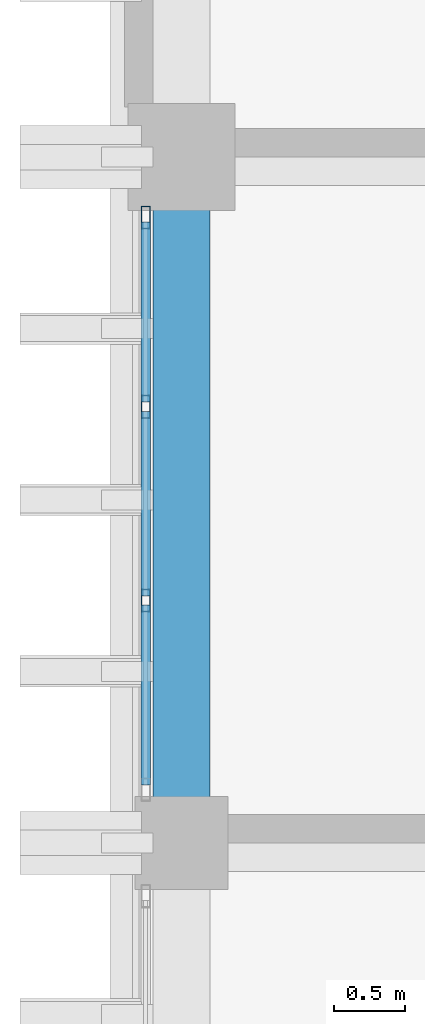
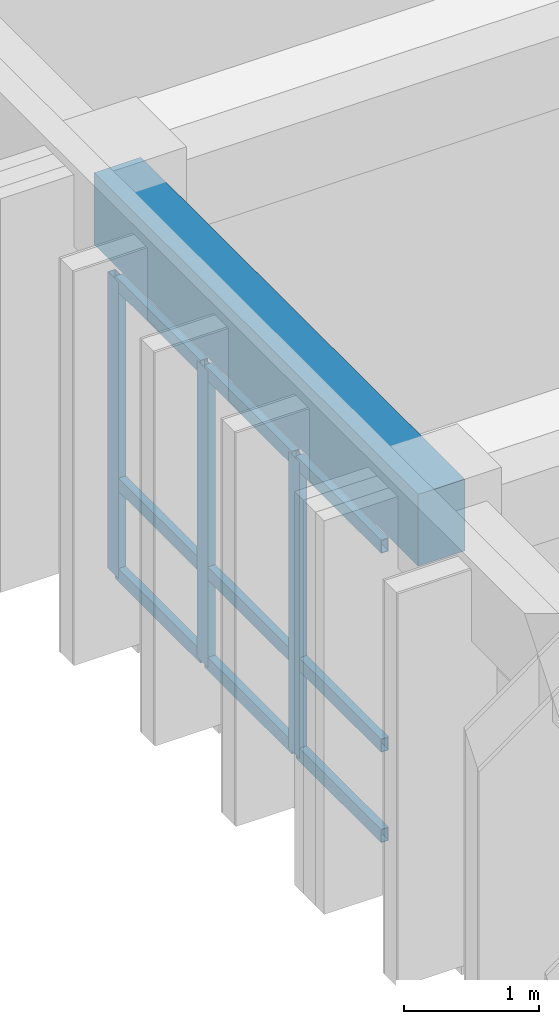
# One storey, part 10 of 64: 12 members, 1 beam, 1 element without a shape of its own.
"""IFC4 building model written with IfcOpenShell, lengths in metres."""

import ifcopenshell
import ifcopenshell.guid

model = None  # the IFC model being written
_history = None  # IfcOwnerHistory: only IFC2X3 demands one
_inside = {}  # id of a spatial element -> (the spatial element, [elements in it])
_under = {}  # id of a project, library or spatial element -> (it, [spatial elements below it])
_declared = {}  # id of a project -> (the project, [libraries it declares])
_typed = {}  # id of a type object -> (the type object, [elements of that type])
_made_of = {}  # id of a material, layer set ... -> (it, [elements and type objects made of it])


def new_model(schema):
    """Start an empty IFC model of exactly this schema.

    Asked for "IFC4X3", IfcOpenShell would pick the latest addendum, in which some entities
    have other attributes; the version numbers below select the first issue.
    IFC2X3 requires an IfcOwnerHistory on every rooted entity: one is made here for all.
    """
    global model, _history
    if schema == "IFC4X3":
        model = ifcopenshell.file(schema_version=(4, 3, 0, 0))
    else:
        model = ifcopenshell.file(schema=schema)
    _inside.clear()
    _under.clear()
    _declared.clear()
    _typed.clear()
    _made_of.clear()
    _history = None
    if model.schema == "IFC2X3":
        org = make("IfcOrganization", Name="unknown")
        user = make(
            "IfcPersonAndOrganization",
            ThePerson=make("IfcPerson", FamilyName="unknown"),
            TheOrganization=org,
        )
        app = make(
            "IfcApplication",
            ApplicationDeveloper=org,
            Version="unknown",
            ApplicationFullName="unknown",
            ApplicationIdentifier="unknown",
        )
        _history = make(
            "IfcOwnerHistory",
            OwningUser=user,
            OwningApplication=app,
            ChangeAction="ADDED",
            CreationDate=0,
        )
    return model


def make(cls, **values):
    """One entity of the class cls with the attributes given. An attribute that is None is left unset."""
    return model.create_entity(
        cls, **{name: value for name, value in values.items() if value is not None}
    )


def rooted(cls, **values):
    """An entity with a GlobalId (a new one), such as an element, a storey or a relation."""
    return make(cls, GlobalId=ifcopenshell.guid.new(), OwnerHistory=_history, **values)


def si_unit(unit_type, name, prefix=None):
    """IfcSIUnit, for example si_unit("LENGTHUNIT", "METRE", prefix="MILLI")."""
    return make("IfcSIUnit", UnitType=unit_type, Prefix=prefix, Name=name)


def assignment(units):
    """IfcUnitAssignment: the units of a project."""
    return None if units is None else make("IfcUnitAssignment", Units=units)


def point(xyz):
    """IfcCartesianPoint."""
    return None if xyz is None else make("IfcCartesianPoint", Coordinates=xyz)


def direction(xyz):
    """IfcDirection."""
    return None if xyz is None else make("IfcDirection", DirectionRatios=xyz)


def frame(location, z_axis=None, x_axis=None):
    """IfcAxis2Placement3D, a coordinate frame: its origin and axes. An axis left out is left unset."""
    return make(
        "IfcAxis2Placement3D",
        Location=point(location),
        Axis=direction(z_axis),
        RefDirection=direction(x_axis),
    )


def frame_2d(location, x_axis=None):
    """IfcAxis2Placement2D, a coordinate frame in the plane: its origin and x axis."""
    return make(
        "IfcAxis2Placement2D", Location=point(location), RefDirection=direction(x_axis)
    )


def origin():
    """The frame at (0, 0, 0) with its axes left unset."""
    return frame((0.0, 0.0, 0.0))


def origin_2d():
    """The frame at (0, 0) in the plane with its x axis left unset."""
    return frame_2d((0.0, 0.0))


def place(relative_to, where):
    """IfcLocalPlacement: puts the frame where relative to a parent placement (None: the world)."""
    return make(
        "IfcLocalPlacement", PlacementRelTo=relative_to, RelativePlacement=where
    )


def context(
    kind, dimensions, precision=None, world=None, true_north=None, identifier=None
):
    """IfcGeometricRepresentationContext, for example the 3D "Model" context."""
    return make(
        "IfcGeometricRepresentationContext",
        ContextIdentifier=identifier,
        ContextType=kind,
        CoordinateSpaceDimension=dimensions,
        Precision=precision,
        WorldCoordinateSystem=world,
        TrueNorth=true_north,
    )


def subcontext(parent, identifier, kind, view, scale=None):
    """IfcGeometricRepresentationSubContext, for example "Body" below "Model"."""
    return make(
        "IfcGeometricRepresentationSubContext",
        ContextIdentifier=identifier,
        ContextType=kind,
        ParentContext=parent,
        TargetScale=scale,
        TargetView=view,
    )


def project(units=None, contexts=None):
    """IfcProject with its units and contexts."""
    return rooted(
        "IfcProject",
        Name="project",
        RepresentationContexts=contexts,
        UnitsInContext=assignment(units),
    )


def spatial(cls, under=None, at=None, **own):
    """A site, building, storey or space (cls), placed at a placement, below another one or the project."""
    s = rooted(cls, ObjectPlacement=at, **own)
    if under is not None:
        _under.setdefault(under.id(), (under, []))[1].append(s)
    return s


def profile(cls, at=None, kind="AREA", **sizes):
    """A parametric profile (cls). Its sizes go by their IFC names, for example OverallWidth=200.0."""
    return make(cls, ProfileType=kind, Position=at, **sizes)


def rectangle(**sizes):
    """IfcRectangleProfileDef."""
    return profile("IfcRectangleProfileDef", **sizes)


def hollow_rectangle(**sizes):
    """IfcRectangleHollowProfileDef."""
    return profile("IfcRectangleHollowProfileDef", **sizes)


def extrude(swept, where, along, depth):
    """IfcExtrudedAreaSolid: the profile swept, set in the frame where, extruded along a direction by depth."""
    return make(
        "IfcExtrudedAreaSolid",
        SweptArea=swept,
        Position=where,
        ExtrudedDirection=direction(along),
        Depth=depth,
    )


def shape(context_of_items, identifier, shape_type, items):
    """IfcShapeRepresentation: the items that make up one representation, for example the "Body"."""
    return make(
        "IfcShapeRepresentation",
        ContextOfItems=context_of_items,
        RepresentationIdentifier=identifier,
        RepresentationType=shape_type,
        Items=items,
    )


def material(Name=None, Category=None):
    """IfcMaterial."""
    return make("IfcMaterial", Name=Name, Category=Category)


def layer(
    of_material, thickness, ventilated=None, Name=None, Category=None, Priority=None
):
    """IfcMaterialLayer: one layer of a wall or slab, of a material (None: an air gap)."""
    return make(
        "IfcMaterialLayer",
        Material=of_material,
        LayerThickness=thickness,
        IsVentilated=ventilated,
        Name=Name,
        Category=Category,
        Priority=Priority,
    )


def layer_set(layers, Name=None):
    """IfcMaterialLayerSet."""
    return make("IfcMaterialLayerSet", MaterialLayers=layers, LayerSetName=Name)


def material_profile(
    of_material, cross_section, Name=None, Category=None, Priority=None
):
    """IfcMaterialProfile: a cross section and its material."""
    return make(
        "IfcMaterialProfile",
        Name=Name,
        Material=of_material,
        Profile=cross_section,
        Priority=Priority,
        Category=Category,
    )


def profile_set(profiles, Name=None, composite=None):
    """IfcMaterialProfileSet."""
    return make(
        "IfcMaterialProfileSet",
        Name=Name,
        MaterialProfiles=profiles,
        CompositeProfile=composite,
    )


def made_of(thing, what):
    """Note that an element or type object is made of a material, layer set ...; save() writes the relation."""
    if what is not None:
        _made_of.setdefault(what.id(), (what, []))[1].append(thing)
    return thing


def type_object(cls, material=None, **own):
    """A type object (cls), such as IfcWallType, which elements share."""
    return made_of(rooted(cls, **own), material)


def element(
    cls,
    number,
    at=None,
    inside=None,
    cuts=None,
    type_object=None,
    material=None,
    context=None,
    identifier="Body",
    shape_type=None,
    held_by="IfcProductDefinitionShape",
    body=None,
    shapes=None,
    **own,
):
    """One element of the class cls, such as IfcWall. Its Tag is "e" and its number.

    at: its placement. inside: the storey or other place that contains it. cuts: it is an
    opening in that element (IfcRelVoidsElement). A single representation is given by context,
    identifier, shape_type and body (its items); several are given by shapes. held_by: the class
    of the entity that holds the representations. save() writes the other relations.
    """
    e = rooted(cls, Tag="e%d" % number, ObjectPlacement=at, **own)
    if body is not None:
        shapes = [shape(context, identifier, shape_type, body)]
    if shapes is not None:
        e.Representation = make(held_by, Representations=shapes)
    if inside is not None:
        _inside.setdefault(inside.id(), (inside, []))[1].append(e)
    if cuts is not None:
        rooted(
            "IfcRelVoidsElement", RelatingBuildingElement=cuts, RelatedOpeningElement=e
        )
    if type_object is not None:
        _typed.setdefault(type_object.id(), (type_object, []))[1].append(e)
    return made_of(e, material)


def aggregate(whole, parts):
    """IfcRelAggregates: a whole, such as a stair, and the parts it consists of."""
    return rooted("IfcRelAggregates", RelatingObject=whole, RelatedObjects=parts)


def save(model, path):
    """Write the relations noted so far, then the file.

    IfcRelAggregates (storeys below a building ...), IfcRelContainedInSpatialStructure (elements
    in a storey), IfcRelDefinesByType, IfcRelAssociatesMaterial and IfcRelDeclares: one each for
    every whole, place, type object, material and project.
    """
    for whole, parts in _under.values():
        aggregate(whole, parts)
    for where, things in _inside.values():
        rooted(
            "IfcRelContainedInSpatialStructure",
            RelatedElements=things,
            RelatingStructure=where,
        )
    for kind, things in _typed.values():
        rooted("IfcRelDefinesByType", RelatedObjects=things, RelatingType=kind)
    for what, things in _made_of.values():
        rooted("IfcRelAssociatesMaterial", RelatedObjects=things, RelatingMaterial=what)
    for by, libraries in _declared.values():
        rooted("IfcRelDeclares", RelatingContext=by, RelatedDefinitions=libraries)
    model.write(path)


model = new_model("IFC4")

# Units and contexts
model_context = context("Model", 3, precision=1e-05, world=origin(), true_north=direction((0.0, 1.0)))
body_context = subcontext(model_context, "Body", "Model", "MODEL_VIEW")
ifc_project = project(units=[si_unit("LENGTHUNIT", "METRE"), si_unit("AREAUNIT", "SQUARE_METRE"), si_unit("VOLUMEUNIT", "CUBIC_METRE"), si_unit("PLANEANGLEUNIT", "RADIAN"), si_unit("MASSUNIT", "GRAM", prefix="KILO")], contexts=[model_context])

# Site, building, storey
site_placement = place(None, origin())
site = spatial("IfcSite", under=ifc_project, at=site_placement, CompositionType="ELEMENT")
building_placement = place(site_placement, origin())
building = spatial("IfcBuilding", under=site, at=building_placement, Name="Nakhvara Creek Congress Hotel", CompositionType="ELEMENT")
storey_placement = place(building_placement, frame((0.0, 0.0, 28.199951171875)))
storey = spatial("IfcBuildingStorey", under=building, at=storey_placement, Name="L06", CompositionType="ELEMENT", Elevation=28.199951171875)

# Beam
ifc_material_1 = material(Name="Concrete C40/50", Category="concrete")
ifc_material_profile_1 = material_profile(ifc_material_1, rectangle(XDim=0.39990234375, YDim=0.64990234375, at=origin_2d()), Name="RC-BM 400x650", Category="LoadBearing")
ifc_profile_set_1 = profile_set([ifc_material_profile_1], Name="Concrete C40/50")
beam_type = type_object("IfcBeamType", Name="BM-RC-400X650", PredefinedType="BEAM", material=ifc_profile_set_1)
beam_placement = place(storey_placement, frame((149.449951171875, 52.800048828125, 3.01513671875), z_axis=(0.0, 1.0, 0.0), x_axis=(-1.0, 0.0, 0.0)))
element("IfcBeam", 1, at=beam_placement, inside=storey, type_object=beam_type, Name="Beam B06-L06-2199", PredefinedType="BEAM", context=body_context, shape_type="SweptSolid", body=[
    extrude(rectangle(XDim=0.39990234375, YDim=0.64990234375, at=origin_2d()), origin(), (0.0, 0.0, 1.0), 4.800048828125),
])

# Curtain wall, members
ifc_material_2 = material(Name="Bronze-anodised aluminium AW-6063-T6 and double-silver low-E glass", Category="aluminium")
ifc_layer = layer(ifc_material_2, 0.199951171875)
ifc_layer_set = layer_set([ifc_layer], Name="Bronze-anodised aluminium AW-6063-T6 and double-silver low-E glass")
curtain_wall_type = type_object("IfcCurtainWallType", Name="CW-HTL-UNIT", PredefinedType="USERDEFINED", material=ifc_layer_set)
curtain_wall_placement = place(storey_placement, origin())
curtain_wall = element("IfcCurtainWall", 2, at=curtain_wall_placement, inside=storey, type_object=curtain_wall_type, Name="Curtain Wall CW234", ObjectType="UNITISED", PredefinedType="USERDEFINED")
ifc_material_3 = material(Name="Bronze-anodised aluminium AW-6063-T6", Category="aluminium")
ifc_material_profile_2 = material_profile(ifc_material_3, hollow_rectangle(XDim=0.06494140625, YDim=0.159912109375, WallThickness=0.00390625, at=origin_2d()), Name="ALU-MULL 65x160x4", Category="LoadBearing")
ifc_profile_set_2 = profile_set([ifc_material_profile_2], Name="Bronze-anodised aluminium AW-6063-T6")
member_type_1 = type_object("IfcMemberType", Name="CW-MULL-160", PredefinedType="MULLION", material=ifc_profile_set_2)
member_1_placement = place(storey_placement, frame((149.199951171875, 54.49658203125, 0.0), z_axis=(0.0, 0.0, 1.0), x_axis=(-1.0, 0.0, 0.0)))
member_1 = element("IfcMember", 3, at=member_1_placement, type_object=member_type_1, Name="CW234 mullion 2", PredefinedType="MULLION", context=body_context, shape_type="SweptSolid", body=[
    extrude(hollow_rectangle(XDim=0.06494140625, YDim=0.159912109375, WallThickness=0.00390625, at=origin_2d()), origin(), (0.0, 0.0, 1.0), 2.68212890625),
])
member_2_placement = place(storey_placement, frame((149.199951171875, 55.853271484375, 0.0), z_axis=(0.0, 0.0, 1.0), x_axis=(-1.0, 0.0, 0.0)))
member_2 = element("IfcMember", 4, at=member_2_placement, type_object=member_type_1, Name="CW234 mullion 3", PredefinedType="MULLION", context=body_context, shape_type="SweptSolid", body=[
    extrude(hollow_rectangle(XDim=0.06494140625, YDim=0.159912109375, WallThickness=0.00390625, at=origin_2d()), origin(), (0.0, 0.0, 1.0), 2.68212890625),
])
member_3_placement = place(storey_placement, frame((149.199951171875, 57.177490234375, 0.0), z_axis=(0.0, 0.0, 1.0), x_axis=(-1.0, 0.0, 0.0)))
member_3 = element("IfcMember", 5, at=member_3_placement, type_object=member_type_1, Name="CW234 mullion 4", PredefinedType="MULLION", context=body_context, shape_type="SweptSolid", body=[
    extrude(hollow_rectangle(XDim=0.06494140625, YDim=0.159912109375, WallThickness=0.00390625, at=origin_2d()), origin(), (0.0, 0.0, 1.0), 2.68212890625),
])
ifc_material_profile_3 = material_profile(ifc_material_3, hollow_rectangle(XDim=0.06494140625, YDim=0.1201171875, WallThickness=0.00390625, at=origin_2d()), Name="ALU-TRAN 65x120x4", Category="LoadBearing")
ifc_profile_set_3 = profile_set([ifc_material_profile_3], Name="Bronze-anodised aluminium AW-6063-T6")
member_type_2 = type_object("IfcMemberType", Name="CW-TRAN-120", PredefinedType="USERDEFINED", material=ifc_profile_set_3)
member_4_placement = place(storey_placement, frame((149.199951171875, 53.205078125, 0.032470703125), z_axis=(0.0, 1.0, 0.0), x_axis=(-1.0, 0.0, 0.0)))
member_4 = element("IfcMember", 6, at=member_4_placement, type_object=member_type_2, Name="CW234 transom 1.1", ObjectType="TRANSOM", PredefinedType="USERDEFINED", context=body_context, shape_type="SweptSolid", body=[
    extrude(hollow_rectangle(XDim=0.06494140625, YDim=0.1201171875, WallThickness=0.00390625, at=origin_2d()), origin(), (0.0, 0.0, 1.0), 1.259033203125),
])
member_5_placement = place(storey_placement, frame((149.199951171875, 53.205078125, 0.85009765625), z_axis=(0.0, 1.0, 0.0), x_axis=(-1.0, 0.0, 0.0)))
member_5 = element("IfcMember", 7, at=member_5_placement, type_object=member_type_2, Name="CW234 transom 1.2", ObjectType="TRANSOM", PredefinedType="USERDEFINED", context=body_context, shape_type="SweptSolid", body=[
    extrude(hollow_rectangle(XDim=0.06494140625, YDim=0.1201171875, WallThickness=0.00390625, at=origin_2d()), origin(), (0.0, 0.0, 1.0), 1.259033203125),
])
member_6_placement = place(storey_placement, frame((149.199951171875, 53.205078125, 2.649658203125), z_axis=(0.0, 1.0, 0.0), x_axis=(-1.0, 0.0, 0.0)))
member_6 = element("IfcMember", 8, at=member_6_placement, type_object=member_type_2, Name="CW234 transom 1.3", ObjectType="TRANSOM", PredefinedType="USERDEFINED", context=body_context, shape_type="SweptSolid", body=[
    extrude(hollow_rectangle(XDim=0.06494140625, YDim=0.1201171875, WallThickness=0.00390625, at=origin_2d()), origin(), (0.0, 0.0, 1.0), 1.259033203125),
])
member_7_placement = place(storey_placement, frame((149.199951171875, 54.529052734375, 0.032470703125), z_axis=(0.0, 1.0, 0.0), x_axis=(-1.0, 0.0, 0.0)))
member_7 = element("IfcMember", 9, at=member_7_placement, type_object=member_type_2, Name="CW234 transom 2.1", ObjectType="TRANSOM", PredefinedType="USERDEFINED", context=body_context, shape_type="SweptSolid", body=[
    extrude(hollow_rectangle(XDim=0.06494140625, YDim=0.1201171875, WallThickness=0.00390625, at=origin_2d()), origin(), (0.0, 0.0, 1.0), 1.291748046875),
])
member_8_placement = place(storey_placement, frame((149.199951171875, 54.529052734375, 0.85009765625), z_axis=(0.0, 1.0, 0.0), x_axis=(-1.0, 0.0, 0.0)))
member_8 = element("IfcMember", 10, at=member_8_placement, type_object=member_type_2, Name="CW234 transom 2.2", ObjectType="TRANSOM", PredefinedType="USERDEFINED", context=body_context, shape_type="SweptSolid", body=[
    extrude(hollow_rectangle(XDim=0.06494140625, YDim=0.1201171875, WallThickness=0.00390625, at=origin_2d()), origin(), (0.0, 0.0, 1.0), 1.291748046875),
])
member_9_placement = place(storey_placement, frame((149.199951171875, 54.529052734375, 2.649658203125), z_axis=(0.0, 1.0, 0.0), x_axis=(-1.0, 0.0, 0.0)))
member_9 = element("IfcMember", 11, at=member_9_placement, type_object=member_type_2, Name="CW234 transom 2.3", ObjectType="TRANSOM", PredefinedType="USERDEFINED", context=body_context, shape_type="SweptSolid", body=[
    extrude(hollow_rectangle(XDim=0.06494140625, YDim=0.1201171875, WallThickness=0.00390625, at=origin_2d()), origin(), (0.0, 0.0, 1.0), 1.291748046875),
])
member_10_placement = place(storey_placement, frame((149.199951171875, 55.8857421875, 0.032470703125), z_axis=(0.0, 1.0, 0.0), x_axis=(-1.0, 0.0, 0.0)))
member_10 = element("IfcMember", 12, at=member_10_placement, type_object=member_type_2, Name="CW234 transom 3.1", ObjectType="TRANSOM", PredefinedType="USERDEFINED", context=body_context, shape_type="SweptSolid", body=[
    extrude(hollow_rectangle(XDim=0.06494140625, YDim=0.1201171875, WallThickness=0.00390625, at=origin_2d()), origin(), (0.0, 0.0, 1.0), 1.25927734375),
])
member_11_placement = place(storey_placement, frame((149.199951171875, 55.8857421875, 0.85009765625), z_axis=(0.0, 1.0, 0.0), x_axis=(-1.0, 0.0, 0.0)))
member_11 = element("IfcMember", 13, at=member_11_placement, type_object=member_type_2, Name="CW234 transom 3.2", ObjectType="TRANSOM", PredefinedType="USERDEFINED", context=body_context, shape_type="SweptSolid", body=[
    extrude(hollow_rectangle(XDim=0.06494140625, YDim=0.1201171875, WallThickness=0.00390625, at=origin_2d()), origin(), (0.0, 0.0, 1.0), 1.25927734375),
])
member_12_placement = place(storey_placement, frame((149.199951171875, 55.8857421875, 2.649658203125), z_axis=(0.0, 1.0, 0.0), x_axis=(-1.0, 0.0, 0.0)))
member_12 = element("IfcMember", 14, at=member_12_placement, type_object=member_type_2, Name="CW234 transom 3.3", ObjectType="TRANSOM", PredefinedType="USERDEFINED", context=body_context, shape_type="SweptSolid", body=[
    extrude(hollow_rectangle(XDim=0.06494140625, YDim=0.1201171875, WallThickness=0.00390625, at=origin_2d()), origin(), (0.0, 0.0, 1.0), 1.25927734375),
])
aggregate(curtain_wall, [member_1, member_2, member_3, member_4, member_5, member_6, member_7, member_8, member_9, member_10, member_11, member_12])

save(model, "model.ifc")
